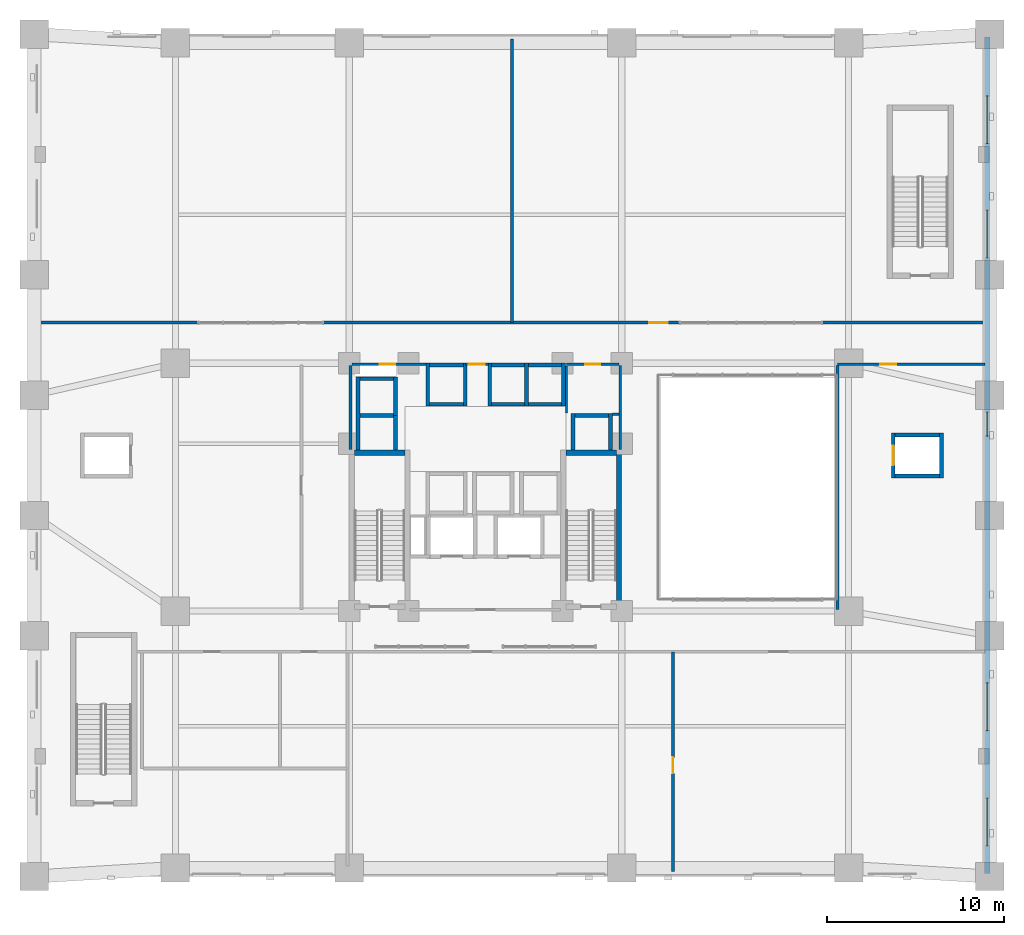
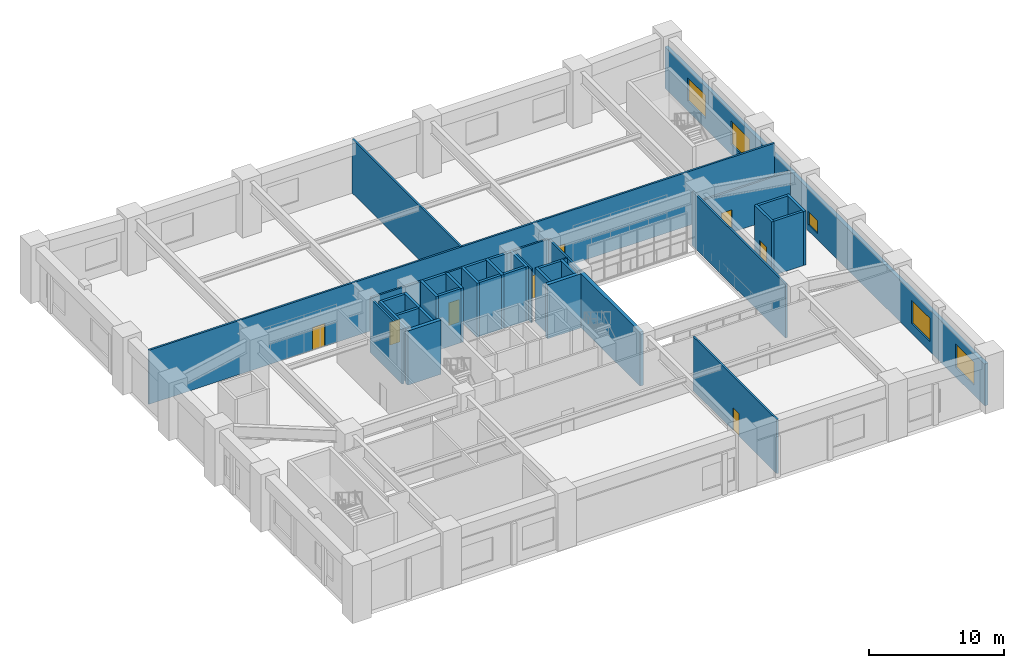
# One storey, part 9 of 14: 39 walls, 8 doors, 5 windows, 13 openings.
"""IFC4 building model written with IfcOpenShell, lengths in metres."""

from ifc_helpers import new_model, si_unit, derived_unit, direction, frame, frame_2d, origin, place, context, subcontext, project, spatial, rectangle, extrude, material, layer, layer_set, type_object, element, fill, save


model = new_model("IFC4")

# Units and contexts
model_context = context("Model", 3, precision=1e-05, world=origin(), true_north=direction((0.0, 1.0)))
body_context = subcontext(model_context, "Body", "Model", "MODEL_VIEW")
ifc_project = project(units=[si_unit("LENGTHUNIT", "METRE"), si_unit("AREAUNIT", "SQUARE_METRE"), si_unit("VOLUMEUNIT", "CUBIC_METRE"), si_unit("PLANEANGLEUNIT", "RADIAN"), si_unit("MASSUNIT", "GRAM", prefix="KILO"), derived_unit("THERMALTRANSMITTANCEUNIT", [(si_unit("MASSUNIT", "GRAM", prefix="KILO"), 1), (si_unit("TIMEUNIT", "SECOND"), -3), (si_unit("THERMODYNAMICTEMPERATUREUNIT", "KELVIN"), -1)])], contexts=[model_context])

# Site, building, storey
site_placement = place(None, origin())
site = spatial("IfcSite", under=ifc_project, at=site_placement, CompositionType="ELEMENT")
building_placement = place(site_placement, origin())
building = spatial("IfcBuilding", under=site, at=building_placement, Name="Korrvale Station Residences", CompositionType="ELEMENT")
storey_placement = place(building_placement, frame((0.0, 0.0, 6.0)))
storey = spatial("IfcBuildingStorey", under=building, at=storey_placement, Name="L01", CompositionType="ELEMENT", Elevation=6.0)

# Walls
ifc_material_1 = material(Name="Concrete C70/85", Category="concrete")
ifc_layer_1 = layer(ifc_material_1, 0.300048828125, Name="Concrete C70/85")
ifc_layer_set_1 = layer_set([ifc_layer_1], Name="Concrete C70/85")
wall_type_1 = type_object("IfcWallType", Name="WAL-CORE-300-C70", PredefinedType="SHEAR", material=ifc_layer_set_1)
wall_1_placement = place(storey_placement, frame((18.10009765625, 23.949951171875, 0.0), z_axis=(0.0, 0.0, 1.0), x_axis=(1.0, 0.0, 0.0)))
element("IfcWall", 1, at=wall_1_placement, inside=storey, type_object=wall_type_1, Name="L01 ST-1 Core Shear Wall North", PredefinedType="SHEAR", context=body_context, shape_type="SweptSolid", body=[
    extrude(rectangle(XDim=2.849853515625, YDim=0.300048828125, at=frame_2d((1.4248046875, 0.0))), origin(), (0.0, 0.0, 1.0), 4.8798828125),
])
wall_2_placement = place(storey_placement, frame((33.050048828125, 15.10009765625, 0.0), z_axis=(0.0, 0.0, 1.0), x_axis=(0.0, 1.0, 0.0)))
element("IfcWall", 2, at=wall_2_placement, inside=storey, type_object=wall_type_1, Name="L01 ST-2 Core Shear Wall East", PredefinedType="SHEAR", context=body_context, shape_type="SweptSolid", body=[
    extrude(rectangle(XDim=9.0, YDim=0.300048828125, at=frame_2d((4.5, 0.0))), origin(), (0.0, 0.0, 1.0), 4.8798828125),
])
wall_3_placement = place(storey_placement, frame((30.050048828125, 23.949951171875, 0.0), z_axis=(0.0, 0.0, 1.0), x_axis=(1.0, 0.0, 0.0)))
element("IfcWall", 3, at=wall_3_placement, inside=storey, type_object=wall_type_1, Name="L01 ST-2 Core Shear Wall North", PredefinedType="SHEAR", context=body_context, shape_type="SweptSolid", body=[
    extrude(rectangle(XDim=2.849853515625, YDim=0.300048828125, at=frame_2d((1.4248046875, 0.0))), origin(), (0.0, 0.0, 1.0), 4.8798828125),
])

# Wall, openings, windows
ifc_material_2 = material(Name="Precast concrete C45/55", Category="concrete")
ifc_layer_2 = layer(ifc_material_2, 0.300048828125, Name="Precast concrete C45/55")
ifc_layer_set_2 = layer_set([ifc_layer_2], Name="Precast concrete C45/55")
wall_type_2 = type_object("IfcWallType", Name="WAL-EXT-PC300", PredefinedType="SOLIDWALL", material=ifc_layer_set_2)
wall_4_placement = place(storey_placement, frame((53.85009765625, 47.43994140625, 0.0), z_axis=(0.0, 0.0, 1.0), x_axis=(0.0, -1.0, 0.0)))
wall_4 = element("IfcWall", 4, at=wall_4_placement, inside=storey, type_object=wall_type_2, Name="L01 East Exterior Precast Wall 1", PredefinedType="SOLIDWALL", context=body_context, shape_type="SweptSolid", body=[
    extrude(rectangle(XDim=47.280029296875, YDim=0.300048828125, at=frame_2d((23.64013671875, 0.0))), origin(), (0.0, 0.0, 1.0), 3.764892578125),
])
opening_1_placement = place(wall_4_placement, frame((3.330078125, 0.0, 0.89990234375)))
opening_1 = element("IfcOpeningElement", 5, at=opening_1_placement, cuts=wall_4, Name="Opening W-07", PredefinedType="OPENING", context=body_context, shape_type="SweptSolid", body=[
    extrude(rectangle(XDim=2.699951171875, YDim=2.10009765625, at=frame_2d((1.35009765625, 1.050048828125))), frame((0.0, 0.16015625, 0.0), z_axis=(0.0, -1.0, 0.0), x_axis=(1.0, 0.0, 0.0)), (0.0, 0.0, 1.0), 0.320068359375),
])
opening_2_placement = place(wall_4_placement, frame((9.780029296875, 0.0, 0.89990234375)))
opening_2 = element("IfcOpeningElement", 6, at=opening_2_placement, cuts=wall_4, Name="Opening W-07", PredefinedType="OPENING", context=body_context, shape_type="SweptSolid", body=[
    extrude(rectangle(XDim=2.699951171875, YDim=2.10009765625, at=frame_2d((1.35009765625, 1.050048828125))), frame((0.0, 0.16015625, 0.0), z_axis=(0.0, -1.0, 0.0), x_axis=(1.0, 0.0, 0.0)), (0.0, 0.0, 1.0), 0.320068359375),
])
opening_3_placement = place(wall_4_placement, frame((21.199951171875, 0.0, 0.550048828125)))
opening_3 = element("IfcOpeningElement", 7, at=opening_3_placement, cuts=wall_4, Name="Opening W-10", PredefinedType="OPENING", context=body_context, shape_type="SweptSolid", body=[
    extrude(rectangle(XDim=1.35009765625, YDim=1.199951171875, at=frame_2d((0.675048828125, 0.60009765625))), frame((0.0, 0.16015625, 0.0), z_axis=(0.0, -1.0, 0.0), x_axis=(1.0, 0.0, 0.0)), (0.0, 0.0, 1.0), 0.320068359375),
])
opening_4_placement = place(wall_4_placement, frame((36.5, 0.0, 0.89990234375)))
opening_4 = element("IfcOpeningElement", 8, at=opening_4_placement, cuts=wall_4, Name="Opening W-07", PredefinedType="OPENING", context=body_context, shape_type="SweptSolid", body=[
    extrude(rectangle(XDim=2.699951171875, YDim=2.10009765625, at=frame_2d((1.35009765625, 1.050048828125))), frame((0.0, 0.16015625, 0.0), z_axis=(0.0, -1.0, 0.0), x_axis=(1.0, 0.0, 0.0)), (0.0, 0.0, 1.0), 0.320068359375),
])
opening_5_placement = place(wall_4_placement, frame((43.0, 0.0, 0.89990234375)))
opening_5 = element("IfcOpeningElement", 9, at=opening_5_placement, cuts=wall_4, Name="Opening W-07", PredefinedType="OPENING", context=body_context, shape_type="SweptSolid", body=[
    extrude(rectangle(XDim=2.699951171875, YDim=2.10009765625, at=frame_2d((1.35009765625, 1.050048828125))), frame((0.0, 0.16015625, 0.0), z_axis=(0.0, -1.0, 0.0), x_axis=(1.0, 0.0, 0.0)), (0.0, 0.0, 1.0), 0.320068359375),
])
ifc_material_3 = material(Name="Thermally broken aluminium frame with triple low-e glazing", Category="aluminium")
window_type_1 = type_object("IfcWindowType", Name="WIN-W07", PartitioningType="TRIPLE_PANEL_VERTICAL", PredefinedType="WINDOW", material=ifc_material_3)
window_1_placement = place(opening_1_placement, origin())
window_1 = element("IfcWindow", 10, at=window_1_placement, inside=storey, type_object=window_type_1, Name="L01 Station Concourse Punched Window 06", OverallHeight=2.10009765625, OverallWidth=2.699951171875, PartitioningType="TRIPLE_PANEL_VERTICAL", PredefinedType="WINDOW", context=body_context, shape_type="SweptSolid", body=[
    extrude(rectangle(XDim=2.699951171875, YDim=2.10009765625, at=frame_2d((1.35009765625, 1.050048828125))), frame((0.0, 0.030029296875, 0.0), z_axis=(0.0, -1.0, 0.0), x_axis=(1.0, 0.0, 0.0)), (0.0, 0.0, 1.0), 0.06005859375),
])
fill(opening_1, window_1)
window_2_placement = place(opening_2_placement, origin())
window_2 = element("IfcWindow", 11, at=window_2_placement, inside=storey, type_object=window_type_1, Name="L01 Station Concourse Punched Window 07", OverallHeight=2.10009765625, OverallWidth=2.699951171875, PartitioningType="TRIPLE_PANEL_VERTICAL", PredefinedType="WINDOW", context=body_context, shape_type="SweptSolid", body=[
    extrude(rectangle(XDim=2.699951171875, YDim=2.10009765625, at=frame_2d((1.35009765625, 1.050048828125))), frame((0.0, 0.030029296875, 0.0), z_axis=(0.0, -1.0, 0.0), x_axis=(1.0, 0.0, 0.0)), (0.0, 0.0, 1.0), 0.06005859375),
])
fill(opening_2, window_2)
window_3_placement = place(opening_4_placement, origin())
window_3 = element("IfcWindow", 12, at=window_3_placement, inside=storey, type_object=window_type_1, Name="L01 Station Concourse Punched Window 09", OverallHeight=2.10009765625, OverallWidth=2.699951171875, PartitioningType="TRIPLE_PANEL_VERTICAL", PredefinedType="WINDOW", context=body_context, shape_type="SweptSolid", body=[
    extrude(rectangle(XDim=2.699951171875, YDim=2.10009765625, at=frame_2d((1.35009765625, 1.050048828125))), frame((0.0, 0.030029296875, 0.0), z_axis=(0.0, -1.0, 0.0), x_axis=(1.0, 0.0, 0.0)), (0.0, 0.0, 1.0), 0.06005859375),
])
fill(opening_4, window_3)
window_4_placement = place(opening_5_placement, origin())
window_4 = element("IfcWindow", 13, at=window_4_placement, inside=storey, type_object=window_type_1, Name="L01 Station Concourse Punched Window 10", OverallHeight=2.10009765625, OverallWidth=2.699951171875, PartitioningType="TRIPLE_PANEL_VERTICAL", PredefinedType="WINDOW", context=body_context, shape_type="SweptSolid", body=[
    extrude(rectangle(XDim=2.699951171875, YDim=2.10009765625, at=frame_2d((1.35009765625, 1.050048828125))), frame((0.0, 0.030029296875, 0.0), z_axis=(0.0, -1.0, 0.0), x_axis=(1.0, 0.0, 0.0)), (0.0, 0.0, 1.0), 0.06005859375),
])
fill(opening_5, window_4)
window_type_2 = type_object("IfcWindowType", Name="WIN-W10", PartitioningType="SINGLE_PANEL", PredefinedType="WINDOW", material=ifc_material_3)
window_5_placement = place(opening_3_placement, origin())
window_5 = element("IfcWindow", 14, at=window_5_placement, inside=storey, type_object=window_type_2, Name="L01 Station Concourse Punched Window 08", OverallHeight=1.199951171875, OverallWidth=1.35009765625, PartitioningType="SINGLE_PANEL", PredefinedType="WINDOW", context=body_context, shape_type="SweptSolid", body=[
    extrude(rectangle(XDim=1.35009765625, YDim=1.199951171875, at=frame_2d((0.675048828125, 0.60009765625))), frame((0.0, 0.030029296875, 0.0), z_axis=(0.0, -1.0, 0.0), x_axis=(1.0, 0.0, 0.0)), (0.0, 0.0, 1.0), 0.06005859375),
])
fill(opening_3, window_5)

# Walls
ifc_material_4 = material(Name="Acoustic steel-stud gypsum board partition", Category="steel")
ifc_layer_3 = layer(ifc_material_4, 0.1201171875, Name="Acoustic steel-stud gypsum board partition")
ifc_layer_set_3 = layer_set([ifc_layer_3], Name="Acoustic steel-stud gypsum board partition")
wall_type_3 = type_object("IfcWallType", Name="WAL-PART-125", PredefinedType="PARTITIONING", material=ifc_layer_set_3)
wall_5_placement = place(storey_placement, frame((30.080078125, 26.179931640625, 0.0), z_axis=(0.0, 0.0, 1.0), x_axis=(0.0, 1.0, 0.0)))
element("IfcWall", 15, at=wall_5_placement, inside=storey, type_object=wall_type_3, Name="L01 Core Partition CW-CS-W", PredefinedType="PARTITIONING", context=body_context, shape_type="SweptSolid", body=[
    extrude(rectangle(XDim=2.68017578125, YDim=0.1201171875, at=frame_2d((1.340087890625, 0.0))), origin(), (0.0, 0.0, 1.0), 4.8798828125),
])
wall_6_placement = place(storey_placement, frame((32.679931640625, 26.1201171875, 0.0), z_axis=(0.0, 0.0, 1.0), x_axis=(1.0, 0.0, 0.0)))
element("IfcWall", 16, at=wall_6_placement, inside=storey, type_object=wall_type_3, Name="L01 Core Partition CW-CS-S", PredefinedType="PARTITIONING", context=body_context, shape_type="SweptSolid", body=[
    extrude(rectangle(XDim=0.380126953125, YDim=0.1201171875, at=frame_2d((0.18994140625, 0.0))), origin(), (0.0, 0.0, 1.0), 4.8798828125),
])
ifc_material_5 = material(Name="Fire-rated twin-stud gypsum and mineral wool shaftwall assembly", Category="gypsum")
ifc_layer_4 = layer(ifc_material_5, 0.159912109375, Name="Fire-rated twin-stud gypsum and mineral wool shaftwall assembly")
ifc_layer_set_4 = layer_set([ifc_layer_4], Name="Fire-rated twin-stud gypsum and mineral wool shaftwall assembly")
wall_type_4 = type_object("IfcWallType", Name="WAL-PART-200", PredefinedType="PARTITIONING", material=ifc_layer_set_4)
for number, where, z_axis, x_axis, name in (
    (17, (17.8798828125, 24.1201171875, 0.0), (0.0, 0.0, 1.0), (0.0, 1.0, 0.0), "L01 Core Partition CW-W-N"),
    (18, (33.1201171875, 24.1201171875, 0.0), (0.0, 0.0, 1.0), (0.0, 1.0, 0.0), "L01 Core Partition CW-E-N"),
):
    element("IfcWall", number, at=place(storey_placement, frame(where, z_axis=z_axis, x_axis=x_axis)), inside=storey, type_object=wall_type_4, Name=name, PredefinedType="PARTITIONING", context=body_context, shape_type="SweptSolid", body=[
        extrude(rectangle(XDim=4.759765625, YDim=0.159912109375, at=frame_2d((2.3798828125, 0.0))), origin(), (0.0, 0.0, 1.0), 4.8798828125),
    ])

# Wall, opening, door
wall_7_placement = place(storey_placement, frame((24.360107421875, 28.949951171875, 0.0), z_axis=(0.0, 0.0, 1.0), x_axis=(1.0, 0.0, 0.0)))
wall_7 = element("IfcWall", 19, at=wall_7_placement, inside=storey, type_object=wall_type_4, Name="L01 Core Partition CW-LLOB-N", PredefinedType="PARTITIONING", context=body_context, shape_type="SweptSolid", body=[
    extrude(rectangle(XDim=1.31982421875, YDim=0.159912109375, at=frame_2d((0.659912109375, 0.0))), origin(), (0.0, 0.0, 1.0), 4.8798828125),
])
opening_6_placement = place(wall_7_placement, frame((0.2099609375, 0.0, 0.0)))
opening_6 = element("IfcOpeningElement", 20, at=opening_6_placement, cuts=wall_7, Name="Opening DI-900", PredefinedType="OPENING", context=body_context, shape_type="SweptSolid", body=[
    extrude(rectangle(XDim=0.89990234375, YDim=2.050048828125, at=frame_2d((0.449951171875, 1.02490234375))), frame((0.0, 0.08984375, 0.0), z_axis=(0.0, -1.0, 0.0), x_axis=(1.0, 0.0, 0.0)), (0.0, 0.0, 1.0), 0.179931640625),
])
ifc_material_6 = material(Name="Painted solid-core timber interior room door", Category="wood")
door_type_1 = type_object("IfcDoorType", Name="DR-INT-900", OperationType="NOTDEFINED", PredefinedType="DOOR", material=ifc_material_6)
door_1_placement = place(opening_6_placement, origin())
door_1 = element("IfcDoor", 21, at=door_1_placement, inside=storey, type_object=door_type_1, Name="L01 Central Hallway North Passage Door", OperationType="SINGLE_SWING_RIGHT", OverallHeight=2.050048828125, OverallWidth=0.89990234375, PredefinedType="DOOR", context=body_context, shape_type="SweptSolid", body=[
    extrude(rectangle(XDim=0.89990234375, YDim=2.050048828125, at=frame_2d((0.449951171875, 1.02490234375))), frame((0.0, 0.02490234375, 0.0), z_axis=(0.0, -1.0, 0.0), x_axis=(1.0, 0.0, 0.0)), (0.0, 0.0, 1.0), 0.050048828125),
])
fill(opening_6, door_1)

wall_8_placement = place(storey_placement, frame((17.9599609375, 28.949951171875, 0.0), z_axis=(0.0, 0.0, 1.0), x_axis=(1.0, 0.0, 0.0)))
wall_8 = element("IfcWall", 22, at=wall_8_placement, inside=storey, type_object=wall_type_4, Name="L01 Core Partition CW-NW", PredefinedType="PARTITIONING", context=body_context, shape_type="SweptSolid", body=[
    extrude(rectangle(XDim=4.2900390625, YDim=0.159912109375, at=frame_2d((2.14501953125, 0.0))), origin(), (0.0, 0.0, 1.0), 4.8798828125),
])
opening_7_placement = place(wall_8_placement, frame((1.570068359375, 0.0, 0.0)))
opening_7 = element("IfcOpeningElement", 23, at=opening_7_placement, cuts=wall_8, Name="Opening DB-860", PredefinedType="OPENING", context=body_context, shape_type="SweptSolid", body=[
    extrude(rectangle(XDim=0.860107421875, YDim=2.050048828125, at=frame_2d((0.43017578125, 1.02490234375))), frame((0.0, 0.08984375, 0.0), z_axis=(0.0, -1.0, 0.0), x_axis=(1.0, 0.0, 0.0)), (0.0, 0.0, 1.0), 0.179931640625),
])
ifc_material_7 = material(Name="Moisture-resistant solid-core bathroom door", Category="timber")
door_type_2 = type_object("IfcDoorType", Name="DR-BATH-860", OperationType="NOTDEFINED", PredefinedType="DOOR", material=ifc_material_7)
door_2_placement = place(opening_7_placement, origin())
door_2 = element("IfcDoor", 24, at=door_2_placement, inside=storey, type_object=door_type_2, Name="L01 Electrical Riser Access Door", OperationType="SINGLE_SWING_LEFT", OverallHeight=2.050048828125, OverallWidth=0.860107421875, PredefinedType="DOOR", context=body_context, shape_type="SweptSolid", body=[
    extrude(rectangle(XDim=0.860107421875, YDim=2.050048828125, at=frame_2d((0.43017578125, 1.02490234375))), frame((0.0, 0.02490234375, 0.0), z_axis=(0.0, -1.0, 0.0), x_axis=(1.0, 0.0, 0.0)), (0.0, 0.0, 1.0), 0.050048828125),
])
fill(opening_7, door_2)

wall_9_placement = place(storey_placement, frame((30.080078125, 28.949951171875, 0.0), z_axis=(0.0, 0.0, 1.0), x_axis=(1.0, 0.0, 0.0)))
wall_9 = element("IfcWall", 25, at=wall_9_placement, inside=storey, type_object=wall_type_4, Name="L01 Core Partition CW-CS-N", PredefinedType="PARTITIONING", context=body_context, shape_type="SweptSolid", body=[
    extrude(rectangle(XDim=2.9599609375, YDim=0.159912109375, at=frame_2d((1.47998046875, 0.0))), origin(), (0.0, 0.0, 1.0), 4.8798828125),
])
opening_8_placement = place(wall_9_placement, frame((1.044921875, 0.0, 0.0)))
opening_8 = element("IfcOpeningElement", 26, at=opening_8_placement, cuts=wall_9, Name="Opening DB-860", PredefinedType="OPENING", context=body_context, shape_type="SweptSolid", body=[
    extrude(rectangle(XDim=0.860107421875, YDim=2.050048828125, at=frame_2d((0.43017578125, 1.02490234375))), frame((0.0, 0.08984375, 0.0), z_axis=(0.0, -1.0, 0.0), x_axis=(1.0, 0.0, 0.0)), (0.0, 0.0, 1.0), 0.179931640625),
])
door_3_placement = place(opening_8_placement, origin())
door_3 = element("IfcDoor", 27, at=door_3_placement, inside=storey, type_object=door_type_2, Name="L01 Parcel Room Door", OperationType="SINGLE_SWING_RIGHT", OverallHeight=2.050048828125, OverallWidth=0.860107421875, PredefinedType="DOOR", context=body_context, shape_type="SweptSolid", body=[
    extrude(rectangle(XDim=0.860107421875, YDim=2.050048828125, at=frame_2d((0.43017578125, 1.02490234375))), frame((0.0, 0.02490234375, 0.0), z_axis=(0.0, -1.0, 0.0), x_axis=(1.0, 0.0, 0.0)), (0.0, 0.0, 1.0), 0.050048828125),
])
fill(opening_8, door_3)

# Wall, openings, doors
wall_10_placement = place(storey_placement, frame((0.280029296875, 31.300048828125, 0.0), z_axis=(0.0, 0.0, 1.0), x_axis=(1.0, 0.0, 0.0)))
wall_10 = element("IfcWall", 28, at=wall_10_placement, inside=storey, type_object=wall_type_4, Name="L01 Interior Partition W-PN", PredefinedType="PARTITIONING", context=body_context, shape_type="SweptSolid", body=[
    extrude(rectangle(XDim=53.43994140625, YDim=0.159912109375, at=frame_2d((26.719970703125, 0.0))), origin(), (0.0, 0.0, 1.0), 4.8798828125),
])
opening_9_placement = place(wall_10_placement, frame((13.97509765625, 0.0, 0.0)))
opening_9 = element("IfcOpeningElement", 29, at=opening_9_placement, cuts=wall_10, Name="Opening FD-1050", PredefinedType="OPENING", context=body_context, shape_type="SweptSolid", body=[
    extrude(rectangle(XDim=1.050048828125, YDim=2.050048828125, at=frame_2d((0.52490234375, 1.02490234375))), frame((0.0, 0.08984375, 0.0), z_axis=(0.0, -1.0, 0.0), x_axis=(1.0, 0.0, 0.0)), (0.0, 0.0, 1.0), 0.179931640625),
])
opening_10_placement = place(wall_10_placement, frame((34.47509765625, 0.0, 0.0)))
opening_10 = element("IfcOpeningElement", 30, at=opening_10_placement, cuts=wall_10, Name="Opening FD-1050", PredefinedType="OPENING", context=body_context, shape_type="SweptSolid", body=[
    extrude(rectangle(XDim=1.050048828125, YDim=2.050048828125, at=frame_2d((0.52490234375, 1.02490234375))), frame((0.0, 0.08984375, 0.0), z_axis=(0.0, -1.0, 0.0), x_axis=(1.0, 0.0, 0.0)), (0.0, 0.0, 1.0), 0.179931640625),
])
ifc_material_8 = material(Name="Fire-rated mineral-core timber lobby door", Category="wood")
door_type_3 = type_object("IfcDoorType", Name="DR-CORE-1050", OperationType="NOTDEFINED", PredefinedType="DOOR", material=ifc_material_8)
door_4_placement = place(opening_9_placement, origin())
door_4 = element("IfcDoor", 31, at=door_4_placement, inside=storey, type_object=door_type_3, Name="L01 North Suite Entry Door 1", OperationType="SINGLE_SWING_LEFT", OverallHeight=2.050048828125, OverallWidth=1.050048828125, PredefinedType="DOOR", context=body_context, shape_type="SweptSolid", body=[
    extrude(rectangle(XDim=1.050048828125, YDim=2.050048828125, at=frame_2d((0.52490234375, 1.02490234375))), frame((0.0, 0.02490234375, 0.0), z_axis=(0.0, -1.0, 0.0), x_axis=(1.0, 0.0, 0.0)), (0.0, 0.0, 1.0), 0.050048828125),
])
fill(opening_9, door_4)
door_5_placement = place(opening_10_placement, origin())
door_5 = element("IfcDoor", 32, at=door_5_placement, inside=storey, type_object=door_type_3, Name="L01 North Suite Entry Door 2", OperationType="SINGLE_SWING_RIGHT", OverallHeight=2.050048828125, OverallWidth=1.050048828125, PredefinedType="DOOR", context=body_context, shape_type="SweptSolid", body=[
    extrude(rectangle(XDim=1.050048828125, YDim=2.050048828125, at=frame_2d((0.52490234375, 1.02490234375))), frame((0.0, 0.02490234375, 0.0), z_axis=(0.0, -1.0, 0.0), x_axis=(1.0, 0.0, 0.0)), (0.0, 0.0, 1.0), 0.050048828125),
])
fill(opening_10, door_5)

# Wall, opening, door
wall_11_placement = place(storey_placement, frame((45.39990234375, 28.949951171875, 0.0), z_axis=(0.0, 0.0, 1.0), x_axis=(1.0, 0.0, 0.0)))
wall_11 = element("IfcWall", 33, at=wall_11_placement, inside=storey, type_object=wall_type_4, Name="L01 Interior Partition W-PE-N", PredefinedType="PARTITIONING", context=body_context, shape_type="SweptSolid", body=[
    extrude(rectangle(XDim=8.320068359375, YDim=0.159912109375, at=frame_2d((4.16015625, 0.0))), origin(), (0.0, 0.0, 1.0), 3.764892578125),
])
opening_11_placement = place(wall_11_placement, frame((2.39990234375, 0.0, 0.0)))
opening_11 = element("IfcOpeningElement", 34, at=opening_11_placement, cuts=wall_11, Name="Opening DI-900", PredefinedType="OPENING", context=body_context, shape_type="SweptSolid", body=[
    extrude(rectangle(XDim=0.89990234375, YDim=2.050048828125, at=frame_2d((0.449951171875, 1.02490234375))), frame((0.0, 0.08984375, 0.0), z_axis=(0.0, -1.0, 0.0), x_axis=(1.0, 0.0, 0.0)), (0.0, 0.0, 1.0), 0.179931640625),
])
door_6_placement = place(opening_11_placement, origin())
door_6 = element("IfcDoor", 35, at=door_6_placement, inside=storey, type_object=door_type_1, Name="L01 East Atrium Lounge North Door", OperationType="SINGLE_SWING_RIGHT", OverallHeight=2.050048828125, OverallWidth=0.89990234375, PredefinedType="DOOR", context=body_context, shape_type="SweptSolid", body=[
    extrude(rectangle(XDim=0.89990234375, YDim=2.050048828125, at=frame_2d((0.449951171875, 1.02490234375))), frame((0.0, 0.02490234375, 0.0), z_axis=(0.0, -1.0, 0.0), x_axis=(1.0, 0.0, 0.0)), (0.0, 0.0, 1.0), 0.050048828125),
])
fill(opening_11, door_6)

# Walls
wall_12_placement = place(storey_placement, frame((45.39990234375, 15.10009765625, 0.0), z_axis=(0.0, 0.0, 1.0), x_axis=(0.0, 1.0, 0.0)))
element("IfcWall", 36, at=wall_12_placement, inside=storey, type_object=wall_type_4, Name="L01 Interior Partition W-PE-W", PredefinedType="PARTITIONING", context=body_context, shape_type="SweptSolid", body=[
    extrude(rectangle(XDim=13.77978515625, YDim=0.159912109375, at=frame_2d((6.889892578125, 0.0))), origin(), (0.0, 0.0, 1.0), 4.8798828125),
])
wall_13_placement = place(storey_placement, frame((27.0, 31.320068359375, 0.0), z_axis=(0.0, 0.0, 1.0), x_axis=(0.0, 1.0, 0.0)))
element("IfcWall", 37, at=wall_13_placement, inside=storey, type_object=wall_type_4, Name="L01 Interior Partition W-D1", PredefinedType="PARTITIONING", context=body_context, shape_type="SweptSolid", body=[
    extrude(rectangle(XDim=16.0, YDim=0.159912109375, at=frame_2d((8.0, 0.0))), origin(), (0.0, 0.0, 1.0), 4.8798828125),
])

# Wall, opening, door
wall_14_placement = place(storey_placement, frame((36.10009765625, 0.280029296875, 0.0), z_axis=(0.0, 0.0, 1.0), x_axis=(0.0, 1.0, 0.0)))
wall_14 = element("IfcWall", 38, at=wall_14_placement, inside=storey, type_object=wall_type_4, Name="L01 Interior Partition W-D2", PredefinedType="PARTITIONING", context=body_context, shape_type="SweptSolid", body=[
    extrude(rectangle(XDim=12.39990234375, YDim=0.159912109375, at=frame_2d((6.199951171875, 0.0))), origin(), (0.0, 0.0, 1.0), 4.8798828125),
])
opening_12_placement = place(wall_14_placement, frame((5.550048828125, 0.0, 0.0)))
opening_12 = element("IfcOpeningElement", 39, at=opening_12_placement, cuts=wall_14, Name="Opening DI-900", PredefinedType="OPENING", context=body_context, shape_type="SweptSolid", body=[
    extrude(rectangle(XDim=0.89990234375, YDim=2.050048828125, at=frame_2d((0.449951171875, 1.02490234375))), frame((0.0, 0.08984375, 0.0), z_axis=(0.0, -1.0, 0.0), x_axis=(1.0, 0.0, 0.0)), (0.0, 0.0, 1.0), 0.179931640625),
])
door_7_placement = place(opening_12_placement, origin())
door_7 = element("IfcDoor", 40, at=door_7_placement, inside=storey, type_object=door_type_1, Name="L01 Kitchen Pass Door", OperationType="SINGLE_SWING_LEFT", OverallHeight=2.050048828125, OverallWidth=0.89990234375, PredefinedType="DOOR", context=body_context, shape_type="SweptSolid", body=[
    extrude(rectangle(XDim=0.89990234375, YDim=2.050048828125, at=frame_2d((0.449951171875, 1.02490234375))), frame((0.0, 0.02490234375, 0.0), z_axis=(0.0, -1.0, 0.0), x_axis=(1.0, 0.0, 0.0)), (0.0, 0.0, 1.0), 0.050048828125),
])
fill(opening_12, door_7)

# Walls
ifc_layer_5 = layer(ifc_material_1, 0.219970703125, Name="Concrete C70/85")
ifc_layer_set_5 = layer_set([ifc_layer_5], Name="Concrete C70/85")
wall_type_5 = type_object("IfcWallType", Name="WAL-SHAFT-220-C70", PredefinedType="SHEAR", material=ifc_layer_set_5)
for number, where, z_axis, x_axis, name in (
    (41, (22.35009765625, 26.68994140625, 0.0), (0.0, 0.0, 1.0), (1.0, 0.0, 0.0), "L01 Elevator PL-1 Hoistway Wall South"),
    (42, (22.35009765625, 28.909912109375, 0.0), (0.0, 0.0, 1.0), (1.0, 0.0, 0.0), "L01 Elevator PL-1 Hoistway Wall North"),
):
    element("IfcWall", number, at=place(storey_placement, frame(where, z_axis=z_axis, x_axis=x_axis)), inside=storey, type_object=wall_type_5, Name=name, PredefinedType="SHEAR", context=body_context, shape_type="SweptSolid", body=[
        extrude(rectangle(XDim=1.89990234375, YDim=0.219970703125, at=frame_2d((0.949951171875, 0.0))), origin(), (0.0, 0.0, 1.0), 4.8798828125),
    ])
for number, where, z_axis, x_axis, name in (
    (43, (22.239990234375, 26.580078125, 0.0), (0.0, 0.0, 1.0), (0.0, 1.0, 0.0), "L01 Elevator PL-1 Hoistway Wall West"),
    (44, (24.360107421875, 26.580078125, 0.0), (0.0, 0.0, 1.0), (0.0, 1.0, 0.0), "L01 Elevator PL-1 Hoistway Wall East"),
):
    element("IfcWall", number, at=place(storey_placement, frame(where, z_axis=z_axis, x_axis=x_axis)), inside=storey, type_object=wall_type_5, Name=name, PredefinedType="SHEAR", context=body_context, shape_type="SweptSolid", body=[
        extrude(rectangle(XDim=2.43994140625, YDim=0.219970703125, at=frame_2d((1.219970703125, 0.0))), origin(), (0.0, 0.0, 1.0), 4.8798828125),
    ])
for number, where, z_axis, x_axis, name in (
    (45, (25.85009765625, 26.68994140625, 0.0), (0.0, 0.0, 1.0), (1.0, 0.0, 0.0), "L01 Elevator PL-2 Hoistway Wall South"),
    (46, (25.85009765625, 28.909912109375, 0.0), (0.0, 0.0, 1.0), (1.0, 0.0, 0.0), "L01 Elevator PL-2 Hoistway Wall North"),
):
    element("IfcWall", number, at=place(storey_placement, frame(where, z_axis=z_axis, x_axis=x_axis)), inside=storey, type_object=wall_type_5, Name=name, PredefinedType="SHEAR", context=body_context, shape_type="SweptSolid", body=[
        extrude(rectangle(XDim=1.85986328125, YDim=0.219970703125, at=frame_2d((0.929931640625, 0.0))), origin(), (0.0, 0.0, 1.0), 4.8798828125),
    ])
for number, where, z_axis, x_axis, name in (
    (47, (25.739990234375, 26.580078125, 0.0), (0.0, 0.0, 1.0), (0.0, 1.0, 0.0), "L01 Elevator PL-2 Hoistway Wall West"),
    (48, (27.820068359375, 26.580078125, 0.0), (0.0, 0.0, 1.0), (0.0, 1.0, 0.0), "L01 Elevator PL-2 Hoistway Wall East"),
):
    element("IfcWall", number, at=place(storey_placement, frame(where, z_axis=z_axis, x_axis=x_axis)), inside=storey, type_object=wall_type_5, Name=name, PredefinedType="SHEAR", context=body_context, shape_type="SweptSolid", body=[
        extrude(rectangle(XDim=2.43994140625, YDim=0.219970703125, at=frame_2d((1.219970703125, 0.0))), origin(), (0.0, 0.0, 1.0), 4.8798828125),
    ])
for number, where, z_axis, x_axis, name in (
    (49, (27.929931640625, 26.68994140625, 0.0), (0.0, 0.0, 1.0), (1.0, 0.0, 0.0), "L01 Elevator PL-3 Hoistway Wall South"),
    (50, (27.929931640625, 28.909912109375, 0.0), (0.0, 0.0, 1.0), (1.0, 0.0, 0.0), "L01 Elevator PL-3 Hoistway Wall North"),
):
    element("IfcWall", number, at=place(storey_placement, frame(where, z_axis=z_axis, x_axis=x_axis)), inside=storey, type_object=wall_type_5, Name=name, PredefinedType="SHEAR", context=body_context, shape_type="SweptSolid", body=[
        extrude(rectangle(XDim=1.860107421875, YDim=0.219970703125, at=frame_2d((0.93017578125, 0.0))), origin(), (0.0, 0.0, 1.0), 4.8798828125),
    ])
wall_15_placement = place(storey_placement, frame((29.89990234375, 26.580078125, 0.0), z_axis=(0.0, 0.0, 1.0), x_axis=(0.0, 1.0, 0.0)))
element("IfcWall", 51, at=wall_15_placement, inside=storey, type_object=wall_type_5, Name="L01 Elevator PL-3 Hoistway Wall East", PredefinedType="SHEAR", context=body_context, shape_type="SweptSolid", body=[
    extrude(rectangle(XDim=2.43994140625, YDim=0.219970703125, at=frame_2d((1.219970703125, 0.0))), origin(), (0.0, 0.0, 1.0), 4.8798828125),
])
wall_16_placement = place(storey_placement, frame((18.2900390625, 24.10009765625, 0.0), z_axis=(0.0, 0.0, 1.0), x_axis=(0.0, 1.0, 0.0)))
element("IfcWall", 52, at=wall_16_placement, inside=storey, type_object=wall_type_5, Name="L01 Elevator PH-1 Hoistway Wall West", PredefinedType="SHEAR", context=body_context, shape_type="SweptSolid", body=[
    extrude(rectangle(XDim=4.139892578125, YDim=0.219970703125, at=frame_2d((2.06982421875, 0.0))), origin(), (0.0, 0.0, 1.0), 4.8798828125),
])
wall_17_placement = place(storey_placement, frame((20.409912109375, 24.10009765625, 0.0), z_axis=(0.0, 0.0, 1.0), x_axis=(0.0, 1.0, 0.0)))
element("IfcWall", 53, at=wall_17_placement, inside=storey, type_object=wall_type_5, Name="L01 Elevator PH-1 Hoistway Wall East", PredefinedType="SHEAR", context=body_context, shape_type="SweptSolid", body=[
    extrude(rectangle(XDim=1.9599609375, YDim=0.219970703125, at=frame_2d((0.97998046875, 0.0))), origin(), (0.0, 0.0, 1.0), 4.8798828125),
])
for number, where, z_axis, x_axis, name in (
    (54, (18.39990234375, 26.06005859375, 0.0), (0.0, 0.0, 1.0), (1.0, 0.0, 0.0), "L01 Elevator PH-2 Hoistway Wall South"),
    (55, (18.39990234375, 28.1298828125, 0.0), (0.0, 0.0, 1.0), (1.0, 0.0, 0.0), "L01 Elevator PH-2 Hoistway Wall North"),
):
    element("IfcWall", number, at=place(storey_placement, frame(where, z_axis=z_axis, x_axis=x_axis)), inside=storey, type_object=wall_type_5, Name=name, PredefinedType="SHEAR", context=body_context, shape_type="SweptSolid", body=[
        extrude(rectangle(XDim=1.900146484375, YDim=0.219970703125, at=frame_2d((0.9501953125, 0.0))), origin(), (0.0, 0.0, 1.0), 4.8798828125),
    ])
wall_18_placement = place(storey_placement, frame((20.409912109375, 26.06005859375, 0.0), z_axis=(0.0, 0.0, 1.0), x_axis=(0.0, 1.0, 0.0)))
element("IfcWall", 56, at=wall_18_placement, inside=storey, type_object=wall_type_5, Name="L01 Elevator PH-2 Hoistway Wall East", PredefinedType="SHEAR", context=body_context, shape_type="SweptSolid", body=[
    extrude(rectangle(XDim=2.179931640625, YDim=0.219970703125, at=frame_2d((1.08984375, 0.0))), origin(), (0.0, 0.0, 1.0), 4.8798828125),
])
wall_19_placement = place(storey_placement, frame((30.550048828125, 26.06005859375, 0.0), z_axis=(0.0, 0.0, 1.0), x_axis=(1.0, 0.0, 0.0)))
element("IfcWall", 57, at=wall_19_placement, inside=storey, type_object=wall_type_5, Name="L01 Elevator PH-3 Hoistway Wall North", PredefinedType="SHEAR", context=body_context, shape_type="SweptSolid", body=[
    extrude(rectangle(XDim=1.89990234375, YDim=0.219970703125, at=frame_2d((0.949951171875, 0.0))), origin(), (0.0, 0.0, 1.0), 4.8798828125),
])
for number, where, z_axis, x_axis, name in (
    (58, (30.43994140625, 24.10009765625, 0.0), (0.0, 0.0, 1.0), (0.0, 1.0, 0.0), "L01 Elevator PH-3 Hoistway Wall West"),
    (59, (32.56005859375, 24.10009765625, 0.0), (0.0, 0.0, 1.0), (0.0, 1.0, 0.0), "L01 Elevator PH-3 Hoistway Wall East"),
):
    element("IfcWall", number, at=place(storey_placement, frame(where, z_axis=z_axis, x_axis=x_axis)), inside=storey, type_object=wall_type_5, Name=name, PredefinedType="SHEAR", context=body_context, shape_type="SweptSolid", body=[
        extrude(rectangle(XDim=2.06982421875, YDim=0.219970703125, at=frame_2d((1.034912109375, 0.0))), origin(), (0.0, 0.0, 1.0), 4.8798828125),
    ])
for number, where, z_axis, x_axis, name in (
    (60, (48.64990234375, 22.639892578125, 0.0), (0.0, 0.0, 1.0), (1.0, 0.0, 0.0), "L01 Elevator TL-2 Hoistway Wall South"),
    (61, (48.64990234375, 24.9599609375, 0.0), (0.0, 0.0, 1.0), (1.0, 0.0, 0.0), "L01 Elevator TL-2 Hoistway Wall North"),
):
    element("IfcWall", number, at=place(storey_placement, frame(where, z_axis=z_axis, x_axis=x_axis)), inside=storey, type_object=wall_type_5, Name=name, PredefinedType="SHEAR", context=body_context, shape_type="SweptSolid", body=[
        extrude(rectangle(XDim=2.5, YDim=0.219970703125, at=frame_2d((1.25, 0.0))), origin(), (0.0, 0.0, 1.0), 4.8798828125),
    ])

# Wall, opening, door
wall_20_placement = place(storey_placement, frame((48.5400390625, 22.530029296875, 0.0), z_axis=(0.0, 0.0, 1.0), x_axis=(0.0, 1.0, 0.0)))
wall_20 = element("IfcWall", 62, at=wall_20_placement, inside=storey, type_object=wall_type_5, Name="L01 Elevator TL-2 Hoistway Wall West", PredefinedType="SHEAR", context=body_context, shape_type="SweptSolid", body=[
    extrude(rectangle(XDim=2.5400390625, YDim=0.219970703125, at=frame_2d((1.27001953125, 0.0))), origin(), (0.0, 0.0, 1.0), 4.8798828125),
])
opening_13_placement = place(wall_20_placement, frame((0.719970703125, 0.0, 0.0)))
opening_13 = element("IfcOpeningElement", 63, at=opening_13_placement, cuts=wall_20, Name="Opening LD-1100", PredefinedType="OPENING", context=body_context, shape_type="SweptSolid", body=[
    extrude(rectangle(XDim=1.10009765625, YDim=2.14990234375, at=frame_2d((0.550048828125, 1.074951171875))), frame((0.0, 0.1201171875, 0.0), z_axis=(0.0, -1.0, 0.0), x_axis=(1.0, 0.0, 0.0)), (0.0, 0.0, 1.0), 0.239990234375),
])
ifc_material_9 = material(Name="Brushed stainless-steel elevator landing sliding door", Category="steel")
door_type_4 = type_object("IfcDoorType", Name="DR-LIFT-1100", OperationType="SLIDING_TO_LEFT", PredefinedType="DOOR", material=ifc_material_9)
door_8_placement = place(opening_13_placement, origin())
door_8 = element("IfcDoor", 64, at=door_8_placement, inside=storey, type_object=door_type_4, Name="L01 Elevator TL-2 Sliding Landing Door", OperationType="SLIDING_TO_LEFT", OverallHeight=2.14990234375, OverallWidth=1.10009765625, PredefinedType="DOOR", context=body_context, shape_type="SweptSolid", body=[
    extrude(rectangle(XDim=1.10009765625, YDim=2.14990234375, at=frame_2d((0.550048828125, 1.074951171875))), frame((0.0, 0.02490234375, 0.0), z_axis=(0.0, -1.0, 0.0), x_axis=(1.0, 0.0, 0.0)), (0.0, 0.0, 1.0), 0.050048828125),
])
fill(opening_13, door_8)

# Wall
wall_21_placement = place(storey_placement, frame((51.260009765625, 22.530029296875, 0.0), z_axis=(0.0, 0.0, 1.0), x_axis=(0.0, 1.0, 0.0)))
element("IfcWall", 65, at=wall_21_placement, inside=storey, type_object=wall_type_5, Name="L01 Elevator TL-2 Hoistway Wall East", PredefinedType="SHEAR", context=body_context, shape_type="SweptSolid", body=[
    extrude(rectangle(XDim=2.5400390625, YDim=0.219970703125, at=frame_2d((1.27001953125, 0.0))), origin(), (0.0, 0.0, 1.0), 4.8798828125),
])

save(model, "model.ifc")
